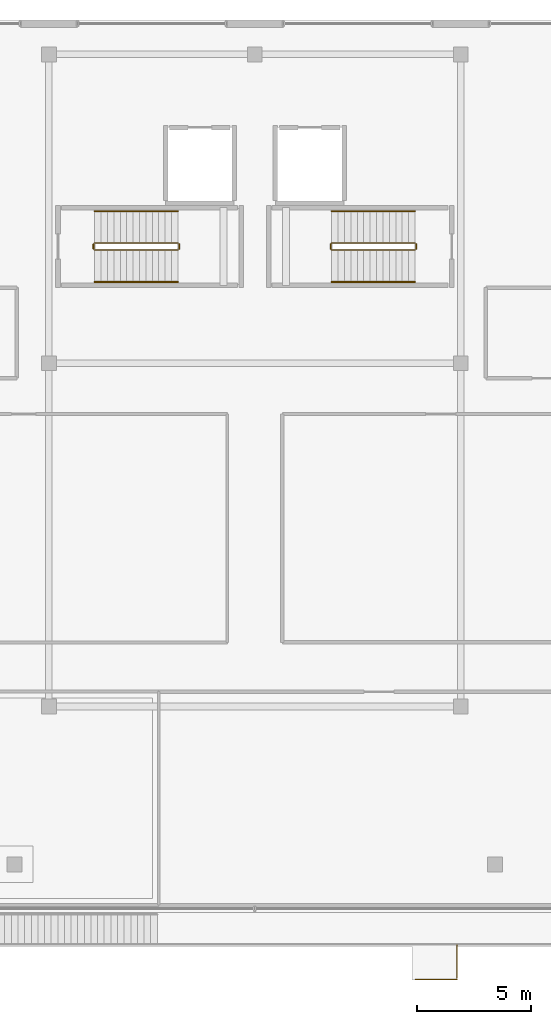
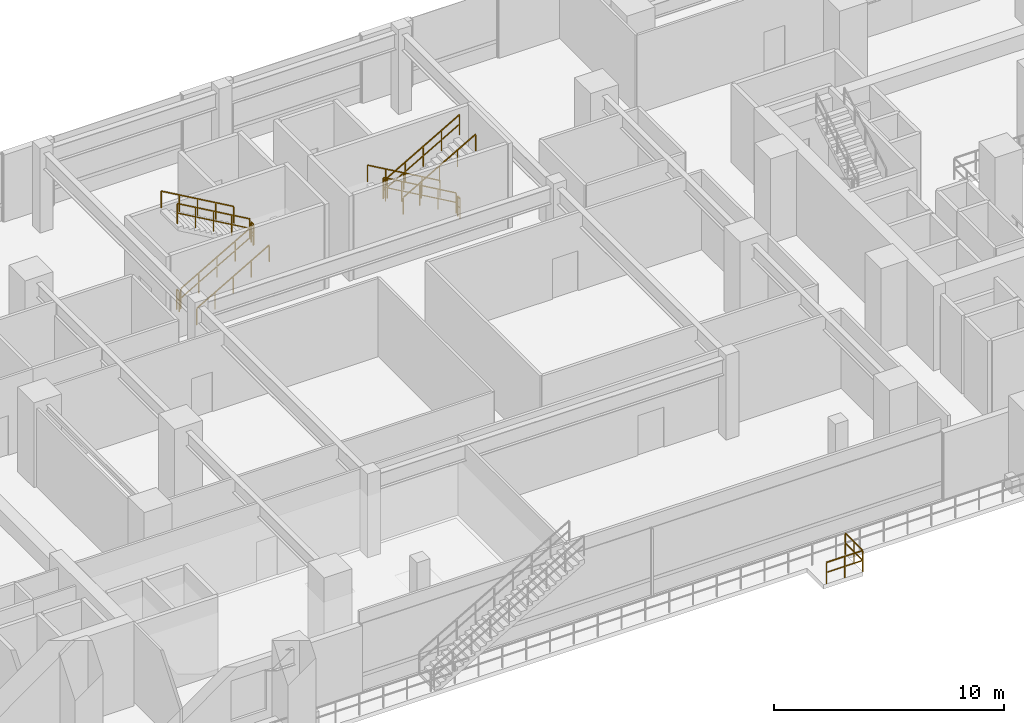
# One storey, part 21 of 22: 13 railings.
"""IFC4 building model written with IfcOpenShell, lengths in metres."""

from ifc_helpers import new_model, si_unit, direction, frame, origin, origin_2d, place, context, subcontext, project, spatial, rectangle, extrude, material, type_object, element, save


model = new_model("IFC4")

# Units and contexts
model_context = context("Model", 3, precision=1e-05, world=origin(), true_north=direction((0.0, 1.0)))
body_context = subcontext(model_context, "Body", "Model", "MODEL_VIEW")
ifc_project = project(units=[si_unit("LENGTHUNIT", "METRE"), si_unit("AREAUNIT", "SQUARE_METRE"), si_unit("VOLUMEUNIT", "CUBIC_METRE"), si_unit("PLANEANGLEUNIT", "RADIAN"), si_unit("MASSUNIT", "GRAM", prefix="KILO")], contexts=[model_context])

# Site, building, storey
site_placement = place(None, origin())
site = spatial("IfcSite", under=ifc_project, at=site_placement, CompositionType="ELEMENT")
building_placement = place(site_placement, origin())
building = spatial("IfcBuilding", under=site, at=building_placement, Name="Thornwick Lancets Civic Towers", CompositionType="ELEMENT")
storey_placement = place(building_placement, frame((0.0, 0.0, 18.60009765625)))
storey = spatial("IfcBuildingStorey", under=building, at=storey_placement, Name="L04", CompositionType="ELEMENT", Elevation=18.60009765625)

# Railings
ifc_material_1 = material(Name="Brushed stainless steel S355", Category="steel")
railing_type_1 = type_object("IfcRailingType", Name="RAIL_HANDRAIL", PredefinedType="HANDRAIL", material=ifc_material_1)
railing_1_placement = place(storey_placement, frame((50.0, 38.050048828125, 0.16064453125)))
element("IfcRailing", 1, at=railing_1_placement, inside=storey, type_object=railing_type_1, Name="L04 ST-P5 stair handrail 1", PredefinedType="HANDRAIL", context=body_context, shape_type="SweptSolid", body=[
    extrude(rectangle(XDim=0.048095703125, YDim=0.048095703125, at=origin_2d()), frame((0.0, 0.0, 0.8857421875), z_axis=(0.8672749571, 0.0, 0.497829437445), x_axis=(0.0, 1.0, 0.0)), (0.0, 0.0, 1.0), 4.197021484375),
    extrude(rectangle(XDim=0.0419921875, YDim=0.0419921875, at=origin_2d()), origin(), (0.0, 0.0, 1.0), 0.855712890625),
    extrude(rectangle(XDim=0.0419921875, YDim=0.0419921875, at=origin_2d()), frame((0.909912109375, 0.0, 0.5224609375)), (0.0, 0.0, 1.0), 0.855712890625),
    extrude(rectangle(XDim=0.0419921875, YDim=0.0419921875, at=origin_2d()), frame((1.81982421875, 0.0, 1.044677734375)), (0.0, 0.0, 1.0), 0.855712890625),
    extrude(rectangle(XDim=0.0419921875, YDim=0.0419921875, at=origin_2d()), frame((2.72998046875, 0.0, 1.56689453125)), (0.0, 0.0, 1.0), 0.855712890625),
    extrude(rectangle(XDim=0.0419921875, YDim=0.0419921875, at=origin_2d()), frame((3.639892578125, 0.0, 2.08935546875)), (0.0, 0.0, 1.0), 0.855712890625),
])
for number, where, name in (
    (2, (53.639892578125, 41.14990234375, 2.41064453125), "L04 ST-P5 stair handrail 2"),
    (3, (64.0, 41.14990234375, 0.16064453125), "L04 ST-P6 stair handrail 1"),
):
    element("IfcRailing", number, at=place(storey_placement, frame(where)), inside=storey, type_object=railing_type_1, Name=name, PredefinedType="HANDRAIL", context=body_context, shape_type="SweptSolid", body=[
        extrude(rectangle(XDim=0.048095703125, YDim=0.048095703125, at=origin_2d()), frame((0.0, 0.0, 0.8857421875), z_axis=(-0.8672749571, 0.0, 0.497829437445), x_axis=(0.0, -1.0, 0.0)), (0.0, 0.0, 1.0), 4.197021484375),
        extrude(rectangle(XDim=0.0419921875, YDim=0.0419921875, at=origin_2d()), origin(), (0.0, 0.0, 1.0), 0.855712890625),
        extrude(rectangle(XDim=0.0419921875, YDim=0.0419921875, at=origin_2d()), frame((-0.909912109375, 0.0, 0.5224609375)), (0.0, 0.0, 1.0), 0.855712890625),
        extrude(rectangle(XDim=0.0419921875, YDim=0.0419921875, at=origin_2d()), frame((-1.81982421875, 0.0, 1.044677734375)), (0.0, 0.0, 1.0), 0.855712890625),
        extrude(rectangle(XDim=0.0419921875, YDim=0.0419921875, at=origin_2d()), frame((-2.72998046875, 0.0, 1.56689453125)), (0.0, 0.0, 1.0), 0.855712890625),
        extrude(rectangle(XDim=0.0419921875, YDim=0.0419921875, at=origin_2d()), frame((-3.639892578125, 0.0, 2.08935546875)), (0.0, 0.0, 1.0), 0.855712890625),
    ])
railing_2_placement = place(storey_placement, frame((60.360107421875, 38.050048828125, 2.41064453125)))
element("IfcRailing", 4, at=railing_2_placement, inside=storey, type_object=railing_type_1, Name="L04 ST-P6 stair handrail 2", PredefinedType="HANDRAIL", context=body_context, shape_type="SweptSolid", body=[
    extrude(rectangle(XDim=0.048095703125, YDim=0.048095703125, at=origin_2d()), frame((0.0, 0.0, 0.8857421875), z_axis=(0.8672749571, 0.0, 0.497829437445), x_axis=(0.0, 1.0, 0.0)), (0.0, 0.0, 1.0), 4.197021484375),
    extrude(rectangle(XDim=0.0419921875, YDim=0.0419921875, at=origin_2d()), origin(), (0.0, 0.0, 1.0), 0.855712890625),
    extrude(rectangle(XDim=0.0419921875, YDim=0.0419921875, at=origin_2d()), frame((0.909912109375, 0.0, 0.5224609375)), (0.0, 0.0, 1.0), 0.855712890625),
    extrude(rectangle(XDim=0.0419921875, YDim=0.0419921875, at=origin_2d()), frame((1.81982421875, 0.0, 1.044677734375)), (0.0, 0.0, 1.0), 0.855712890625),
    extrude(rectangle(XDim=0.0419921875, YDim=0.0419921875, at=origin_2d()), frame((2.72998046875, 0.0, 1.56689453125)), (0.0, 0.0, 1.0), 0.855712890625),
    extrude(rectangle(XDim=0.0419921875, YDim=0.0419921875, at=origin_2d()), frame((3.639892578125, 0.0, 2.08935546875)), (0.0, 0.0, 1.0), 0.855712890625),
])
ifc_material_2 = material(Name="Steel S355JR", Category="steel")
railing_type_2 = type_object("IfcRailingType", Name="RAIL_STAIR_GUARD", PredefinedType="GUARDRAIL", material=ifc_material_2)
railing_3_placement = place(storey_placement, frame((50.0, 39.449951171875, 0.16064453125)))
element("IfcRailing", 5, at=railing_3_placement, inside=storey, type_object=railing_type_2, Name="L04 ST-P5 stair guard 1", PredefinedType="GUARDRAIL", context=body_context, shape_type="SweptSolid", body=[
    extrude(rectangle(XDim=0.048095703125, YDim=0.048095703125, at=origin_2d()), frame((0.0, 0.0, 1.076171875), z_axis=(0.8672749571, 0.0, 0.497829437445), x_axis=(0.0, 1.0, 0.0)), (0.0, 0.0, 1.0), 4.197021484375),
    extrude(rectangle(XDim=0.0419921875, YDim=0.0419921875, at=origin_2d()), frame((0.032470703125, 0.0, 0.5908203125), z_axis=(0.8672749571, 0.0, 0.497829437445), x_axis=(0.0, 1.0, 0.0)), (0.0, 0.0, 1.0), 0.974365234375),
    extrude(rectangle(XDim=0.0419921875, YDim=0.0419921875, at=origin_2d()), frame((0.9423828125, 0.0, 1.113037109375), z_axis=(0.8672749571, 0.0, 0.497829437445), x_axis=(0.0, 1.0, 0.0)), (0.0, 0.0, 1.0), 0.974365234375),
    extrude(rectangle(XDim=0.0419921875, YDim=0.0419921875, at=origin_2d()), frame((1.8525390625, 0.0, 1.635498046875), z_axis=(0.8672749571, 0.0, 0.497829437445), x_axis=(0.0, 1.0, 0.0)), (0.0, 0.0, 1.0), 0.974365234375),
    extrude(rectangle(XDim=0.0419921875, YDim=0.0419921875, at=origin_2d()), frame((2.762451171875, 0.0, 2.15771484375), z_axis=(0.8672749571, 0.0, 0.497829437445), x_axis=(0.0, 1.0, 0.0)), (0.0, 0.0, 1.0), 0.974365234375),
    extrude(rectangle(XDim=0.0419921875, YDim=0.0419921875, at=origin_2d()), origin(), (0.0, 0.0, 1.0), 1.0458984375),
    extrude(rectangle(XDim=0.0419921875, YDim=0.0419921875, at=origin_2d()), frame((0.909912109375, 0.0, 0.5224609375)), (0.0, 0.0, 1.0), 1.0458984375),
    extrude(rectangle(XDim=0.0419921875, YDim=0.0419921875, at=origin_2d()), frame((1.81982421875, 0.0, 1.044677734375)), (0.0, 0.0, 1.0), 1.0458984375),
    extrude(rectangle(XDim=0.0419921875, YDim=0.0419921875, at=origin_2d()), frame((2.72998046875, 0.0, 1.56689453125)), (0.0, 0.0, 1.0), 1.0458984375),
    extrude(rectangle(XDim=0.0419921875, YDim=0.0419921875, at=origin_2d()), frame((3.639892578125, 0.0, 2.08935546875)), (0.0, 0.0, 1.0), 1.0458984375),
])
railing_4_placement = place(storey_placement, frame((53.68994140625, 39.5, 2.25)))
element("IfcRailing", 6, at=railing_4_placement, inside=storey, type_object=railing_type_2, Name="L04 ST-P5 stair guard 2", PredefinedType="GUARDRAIL", context=body_context, shape_type="SweptSolid", body=[
    extrude(rectangle(XDim=0.048095703125, YDim=0.048095703125, at=origin_2d()), frame((0.0, 0.0, 1.076171875), z_axis=(0.0, 1.0, 0.0), x_axis=(-1.0, 0.0, 0.0)), (0.0, 0.0, 1.0), 0.199951171875),
    extrude(rectangle(XDim=0.0419921875, YDim=0.0419921875, at=origin_2d()), frame((0.0, 0.03759765625, 0.572021484375), z_axis=(0.0, 1.0, 0.0), x_axis=(-1.0, 0.0, 0.0)), (0.0, 0.0, 1.0), 0.125),
    extrude(rectangle(XDim=0.0419921875, YDim=0.0419921875, at=origin_2d()), origin(), (0.0, 0.0, 1.0), 1.0458984375),
    extrude(rectangle(XDim=0.0419921875, YDim=0.0419921875, at=origin_2d()), frame((0.0, 0.199951171875, 0.0)), (0.0, 0.0, 1.0), 1.0458984375),
])
railing_5_placement = place(storey_placement, frame((53.639892578125, 39.75, 2.41064453125)))
element("IfcRailing", 7, at=railing_5_placement, inside=storey, type_object=railing_type_2, Name="L04 ST-P5 stair guard 3", PredefinedType="GUARDRAIL", context=body_context, shape_type="SweptSolid", body=[
    extrude(rectangle(XDim=0.048095703125, YDim=0.048095703125, at=origin_2d()), frame((0.0, 0.0, 1.076171875), z_axis=(-0.8672749571, 0.0, 0.497829437445), x_axis=(0.0, -1.0, 0.0)), (0.0, 0.0, 1.0), 4.197021484375),
    extrude(rectangle(XDim=0.0419921875, YDim=0.0419921875, at=origin_2d()), frame((-0.032470703125, 0.0, 0.5908203125), z_axis=(-0.8672749571, 0.0, 0.497829437445), x_axis=(0.0, -1.0, 0.0)), (0.0, 0.0, 1.0), 0.974365234375),
    extrude(rectangle(XDim=0.0419921875, YDim=0.0419921875, at=origin_2d()), frame((-0.9423828125, 0.0, 1.113037109375), z_axis=(-0.8672749571, 0.0, 0.497829437445), x_axis=(0.0, -1.0, 0.0)), (0.0, 0.0, 1.0), 0.974365234375),
    extrude(rectangle(XDim=0.0419921875, YDim=0.0419921875, at=origin_2d()), frame((-1.8525390625, 0.0, 1.635498046875), z_axis=(-0.8672749571, 0.0, 0.497829437445), x_axis=(0.0, -1.0, 0.0)), (0.0, 0.0, 1.0), 0.974365234375),
    extrude(rectangle(XDim=0.0419921875, YDim=0.0419921875, at=origin_2d()), frame((-2.762451171875, 0.0, 2.15771484375), z_axis=(-0.8672749571, 0.0, 0.497829437445), x_axis=(0.0, -1.0, 0.0)), (0.0, 0.0, 1.0), 0.974365234375),
    extrude(rectangle(XDim=0.0419921875, YDim=0.0419921875, at=origin_2d()), origin(), (0.0, 0.0, 1.0), 1.0458984375),
    extrude(rectangle(XDim=0.0419921875, YDim=0.0419921875, at=origin_2d()), frame((-0.909912109375, 0.0, 0.5224609375)), (0.0, 0.0, 1.0), 1.0458984375),
    extrude(rectangle(XDim=0.0419921875, YDim=0.0419921875, at=origin_2d()), frame((-1.81982421875, 0.0, 1.044677734375)), (0.0, 0.0, 1.0), 1.0458984375),
    extrude(rectangle(XDim=0.0419921875, YDim=0.0419921875, at=origin_2d()), frame((-2.72998046875, 0.0, 1.56689453125)), (0.0, 0.0, 1.0), 1.0458984375),
    extrude(rectangle(XDim=0.0419921875, YDim=0.0419921875, at=origin_2d()), frame((-3.639892578125, 0.0, 2.08935546875)), (0.0, 0.0, 1.0), 1.0458984375),
])
railing_6_placement = place(storey_placement, frame((49.949951171875, 39.5, 0.0)))
element("IfcRailing", 8, at=railing_6_placement, inside=storey, type_object=railing_type_2, Name="L04 ST-P5 stair guard 4", PredefinedType="GUARDRAIL", context=body_context, shape_type="SweptSolid", body=[
    extrude(rectangle(XDim=0.048095703125, YDim=0.048095703125, at=origin_2d()), frame((0.0, 0.0, 1.076171875), z_axis=(0.0, 1.0, 0.0), x_axis=(-1.0, 0.0, 0.0)), (0.0, 0.0, 1.0), 0.199951171875),
    extrude(rectangle(XDim=0.0419921875, YDim=0.0419921875, at=origin_2d()), frame((0.0, 0.03759765625, 0.572021484375), z_axis=(0.0, 1.0, 0.0), x_axis=(-1.0, 0.0, 0.0)), (0.0, 0.0, 1.0), 0.125),
    extrude(rectangle(XDim=0.0419921875, YDim=0.0419921875, at=origin_2d()), origin(), (0.0, 0.0, 1.0), 1.0458984375),
    extrude(rectangle(XDim=0.0419921875, YDim=0.0419921875, at=origin_2d()), frame((0.0, 0.199951171875, 0.0)), (0.0, 0.0, 1.0), 1.0458984375),
])
railing_7_placement = place(storey_placement, frame((64.0, 39.75, 0.16064453125)))
element("IfcRailing", 9, at=railing_7_placement, inside=storey, type_object=railing_type_2, Name="L04 ST-P6 stair guard 1", PredefinedType="GUARDRAIL", context=body_context, shape_type="SweptSolid", body=[
    extrude(rectangle(XDim=0.048095703125, YDim=0.048095703125, at=origin_2d()), frame((0.0, 0.0, 1.076171875), z_axis=(-0.8672749571, 0.0, 0.497829437445), x_axis=(0.0, -1.0, 0.0)), (0.0, 0.0, 1.0), 4.197021484375),
    extrude(rectangle(XDim=0.0419921875, YDim=0.0419921875, at=origin_2d()), frame((-0.032470703125, 0.0, 0.5908203125), z_axis=(-0.8672749571, 0.0, 0.497829437445), x_axis=(0.0, -1.0, 0.0)), (0.0, 0.0, 1.0), 0.974365234375),
    extrude(rectangle(XDim=0.0419921875, YDim=0.0419921875, at=origin_2d()), frame((-0.9423828125, 0.0, 1.113037109375), z_axis=(-0.8672749571, 0.0, 0.497829437445), x_axis=(0.0, -1.0, 0.0)), (0.0, 0.0, 1.0), 0.974365234375),
    extrude(rectangle(XDim=0.0419921875, YDim=0.0419921875, at=origin_2d()), frame((-1.8525390625, 0.0, 1.635498046875), z_axis=(-0.8672749571, 0.0, 0.497829437445), x_axis=(0.0, -1.0, 0.0)), (0.0, 0.0, 1.0), 0.974365234375),
    extrude(rectangle(XDim=0.0419921875, YDim=0.0419921875, at=origin_2d()), frame((-2.762451171875, 0.0, 2.15771484375), z_axis=(-0.8672749571, 0.0, 0.497829437445), x_axis=(0.0, -1.0, 0.0)), (0.0, 0.0, 1.0), 0.974365234375),
    extrude(rectangle(XDim=0.0419921875, YDim=0.0419921875, at=origin_2d()), origin(), (0.0, 0.0, 1.0), 1.0458984375),
    extrude(rectangle(XDim=0.0419921875, YDim=0.0419921875, at=origin_2d()), frame((-0.909912109375, 0.0, 0.5224609375)), (0.0, 0.0, 1.0), 1.0458984375),
    extrude(rectangle(XDim=0.0419921875, YDim=0.0419921875, at=origin_2d()), frame((-1.81982421875, 0.0, 1.044677734375)), (0.0, 0.0, 1.0), 1.0458984375),
    extrude(rectangle(XDim=0.0419921875, YDim=0.0419921875, at=origin_2d()), frame((-2.72998046875, 0.0, 1.56689453125)), (0.0, 0.0, 1.0), 1.0458984375),
    extrude(rectangle(XDim=0.0419921875, YDim=0.0419921875, at=origin_2d()), frame((-3.639892578125, 0.0, 2.08935546875)), (0.0, 0.0, 1.0), 1.0458984375),
])
railing_8_placement = place(storey_placement, frame((60.31005859375, 39.699951171875, 2.25)))
element("IfcRailing", 10, at=railing_8_placement, inside=storey, type_object=railing_type_2, Name="L04 ST-P6 stair guard 2", PredefinedType="GUARDRAIL", context=body_context, shape_type="SweptSolid", body=[
    extrude(rectangle(XDim=0.048095703125, YDim=0.048095703125, at=origin_2d()), frame((0.0, 0.0, 1.076171875), z_axis=(0.0, -1.0, 0.0), x_axis=(1.0, 0.0, 0.0)), (0.0, 0.0, 1.0), 0.199951171875),
    extrude(rectangle(XDim=0.0419921875, YDim=0.0419921875, at=origin_2d()), frame((0.0, -0.03759765625, 0.572021484375), z_axis=(0.0, -1.0, 0.0), x_axis=(1.0, 0.0, 0.0)), (0.0, 0.0, 1.0), 0.125),
    extrude(rectangle(XDim=0.0419921875, YDim=0.0419921875, at=origin_2d()), origin(), (0.0, 0.0, 1.0), 1.0458984375),
    extrude(rectangle(XDim=0.0419921875, YDim=0.0419921875, at=origin_2d()), frame((0.0, -0.199951171875, 0.0)), (0.0, 0.0, 1.0), 1.0458984375),
])
railing_9_placement = place(storey_placement, frame((60.360107421875, 39.449951171875, 2.41064453125)))
element("IfcRailing", 11, at=railing_9_placement, inside=storey, type_object=railing_type_2, Name="L04 ST-P6 stair guard 3", PredefinedType="GUARDRAIL", context=body_context, shape_type="SweptSolid", body=[
    extrude(rectangle(XDim=0.048095703125, YDim=0.048095703125, at=origin_2d()), frame((0.0, 0.0, 1.076171875), z_axis=(0.8672749571, 0.0, 0.497829437445), x_axis=(0.0, 1.0, 0.0)), (0.0, 0.0, 1.0), 4.197021484375),
    extrude(rectangle(XDim=0.0419921875, YDim=0.0419921875, at=origin_2d()), frame((0.032470703125, 0.0, 0.5908203125), z_axis=(0.8672749571, 0.0, 0.497829437445), x_axis=(0.0, 1.0, 0.0)), (0.0, 0.0, 1.0), 0.974365234375),
    extrude(rectangle(XDim=0.0419921875, YDim=0.0419921875, at=origin_2d()), frame((0.9423828125, 0.0, 1.113037109375), z_axis=(0.8672749571, 0.0, 0.497829437445), x_axis=(0.0, 1.0, 0.0)), (0.0, 0.0, 1.0), 0.974365234375),
    extrude(rectangle(XDim=0.0419921875, YDim=0.0419921875, at=origin_2d()), frame((1.8525390625, 0.0, 1.635498046875), z_axis=(0.8672749571, 0.0, 0.497829437445), x_axis=(0.0, 1.0, 0.0)), (0.0, 0.0, 1.0), 0.974365234375),
    extrude(rectangle(XDim=0.0419921875, YDim=0.0419921875, at=origin_2d()), frame((2.762451171875, 0.0, 2.15771484375), z_axis=(0.8672749571, 0.0, 0.497829437445), x_axis=(0.0, 1.0, 0.0)), (0.0, 0.0, 1.0), 0.974365234375),
    extrude(rectangle(XDim=0.0419921875, YDim=0.0419921875, at=origin_2d()), origin(), (0.0, 0.0, 1.0), 1.0458984375),
    extrude(rectangle(XDim=0.0419921875, YDim=0.0419921875, at=origin_2d()), frame((0.909912109375, 0.0, 0.5224609375)), (0.0, 0.0, 1.0), 1.0458984375),
    extrude(rectangle(XDim=0.0419921875, YDim=0.0419921875, at=origin_2d()), frame((1.81982421875, 0.0, 1.044677734375)), (0.0, 0.0, 1.0), 1.0458984375),
    extrude(rectangle(XDim=0.0419921875, YDim=0.0419921875, at=origin_2d()), frame((2.72998046875, 0.0, 1.56689453125)), (0.0, 0.0, 1.0), 1.0458984375),
    extrude(rectangle(XDim=0.0419921875, YDim=0.0419921875, at=origin_2d()), frame((3.639892578125, 0.0, 2.08935546875)), (0.0, 0.0, 1.0), 1.0458984375),
])
railing_10_placement = place(storey_placement, frame((64.050048828125, 39.699951171875, 0.0)))
element("IfcRailing", 12, at=railing_10_placement, inside=storey, type_object=railing_type_2, Name="L04 ST-P6 stair guard 4", PredefinedType="GUARDRAIL", context=body_context, shape_type="SweptSolid", body=[
    extrude(rectangle(XDim=0.048095703125, YDim=0.048095703125, at=origin_2d()), frame((0.0, 0.0, 1.076171875), z_axis=(0.0, -1.0, 0.0), x_axis=(1.0, 0.0, 0.0)), (0.0, 0.0, 1.0), 0.199951171875),
    extrude(rectangle(XDim=0.0419921875, YDim=0.0419921875, at=origin_2d()), frame((0.0, -0.03759765625, 0.572021484375), z_axis=(0.0, -1.0, 0.0), x_axis=(1.0, 0.0, 0.0)), (0.0, 0.0, 1.0), 0.125),
    extrude(rectangle(XDim=0.0419921875, YDim=0.0419921875, at=origin_2d()), origin(), (0.0, 0.0, 1.0), 1.0458984375),
    extrude(rectangle(XDim=0.0419921875, YDim=0.0419921875, at=origin_2d()), frame((0.0, -0.199951171875, 0.0)), (0.0, 0.0, 1.0), 1.0458984375),
])
ifc_material_3 = material(Name="Terracotta-capped laminated glass balustrade S355", Category="masonry")
railing_type_3 = type_object("IfcRailingType", Name="RAIL_TERR_GUARD", PredefinedType="GUARDRAIL", material=ifc_material_3)
railing_11_placement = place(storey_placement, frame((64.02001953125, 7.570068359375, 0.0)))
element("IfcRailing", 13, at=railing_11_placement, inside=storey, type_object=railing_type_3, Name="L04 Garden Stair Landing Guard", PredefinedType="GUARDRAIL", context=body_context, shape_type="SweptSolid", body=[
    extrude(rectangle(XDim=0.048095703125, YDim=0.048095703125, at=origin_2d()), frame((0.0, 0.0, 1.1259765625), z_axis=(1.0, 0.0, 0.0), x_axis=(0.0, 1.0, 0.0)), (0.0, 0.0, 1.0), 1.788818359375),
    extrude(rectangle(XDim=0.0419921875, YDim=0.0419921875, at=origin_2d()), frame((0.03759765625, 0.0, 0.597900390625), z_axis=(1.0, 0.0, 0.0), x_axis=(0.0, 1.0, 0.0)), (0.0, 0.0, 1.0), 0.8349609375),
    extrude(rectangle(XDim=0.0419921875, YDim=0.0419921875, at=origin_2d()), frame((0.947509765625, 0.0, 0.597900390625), z_axis=(1.0, 0.0, 0.0), x_axis=(0.0, 1.0, 0.0)), (0.0, 0.0, 1.0), 0.8349609375),
    extrude(rectangle(XDim=0.048095703125, YDim=0.048095703125, at=origin_2d()), frame((1.820068359375, 0.03125, 1.1259765625), z_axis=(0.0, 1.0, 0.0), x_axis=(-1.0, 0.0, 0.0)), (0.0, 0.0, 1.0), 1.478759765625),
    extrude(rectangle(XDim=0.0419921875, YDim=0.0419921875, at=origin_2d()), frame((1.820068359375, 0.03759765625, 0.597900390625), z_axis=(0.0, 1.0, 0.0), x_axis=(-1.0, 0.0, 0.0)), (0.0, 0.0, 1.0), 0.679931640625),
    extrude(rectangle(XDim=0.0419921875, YDim=0.0419921875, at=origin_2d()), frame((1.820068359375, 0.79248046875, 0.597900390625), z_axis=(0.0, 1.0, 0.0), x_axis=(-1.0, 0.0, 0.0)), (0.0, 0.0, 1.0), 0.679931640625),
    extrude(rectangle(XDim=0.0419921875, YDim=0.0419921875, at=origin_2d()), origin(), (0.0, 0.0, 1.0), 1.095703125),
    extrude(rectangle(XDim=0.0419921875, YDim=0.0419921875, at=origin_2d()), frame((0.91015625, 0.0, 0.0)), (0.0, 0.0, 1.0), 1.095703125),
    extrude(rectangle(XDim=0.0419921875, YDim=0.0419921875, at=origin_2d()), frame((1.820068359375, 0.0, 0.0)), (0.0, 0.0, 1.0), 1.095703125),
    extrude(rectangle(XDim=0.0419921875, YDim=0.0419921875, at=origin_2d()), frame((1.820068359375, 0.7548828125, 0.0)), (0.0, 0.0, 1.0), 1.095703125),
    extrude(rectangle(XDim=0.0419921875, YDim=0.0419921875, at=origin_2d()), frame((1.820068359375, 1.510009765625, 0.0)), (0.0, 0.0, 1.0), 1.095703125),
])

save(model, "model.ifc")
